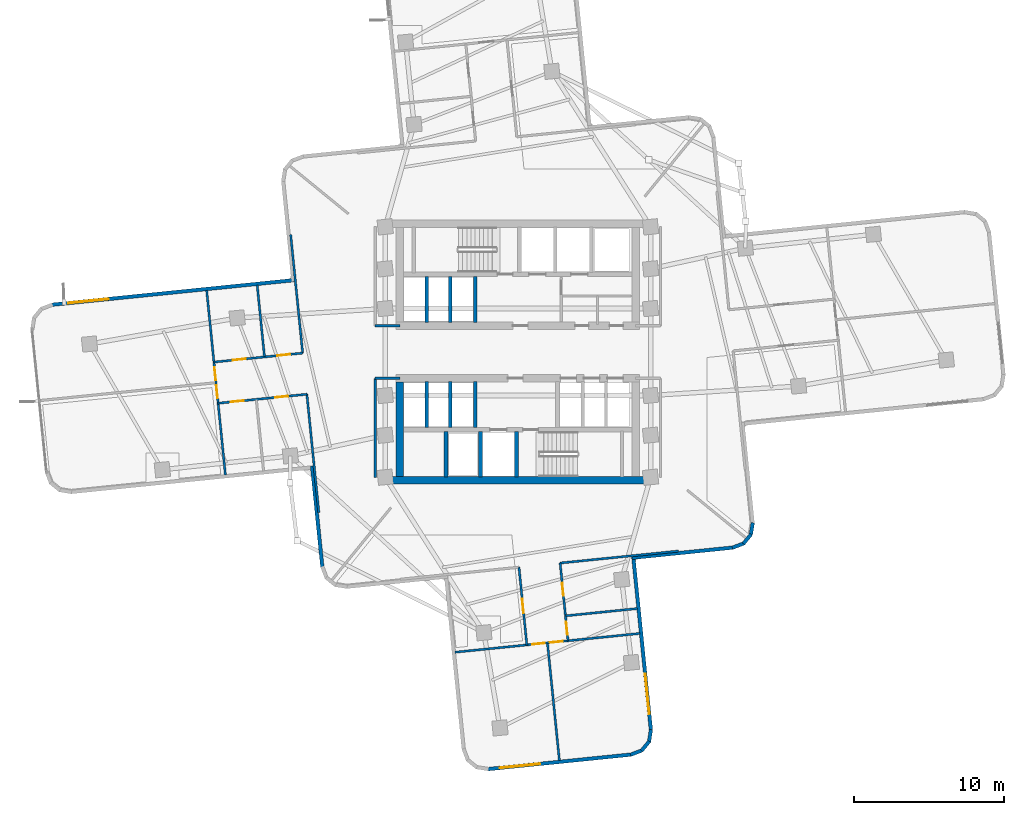
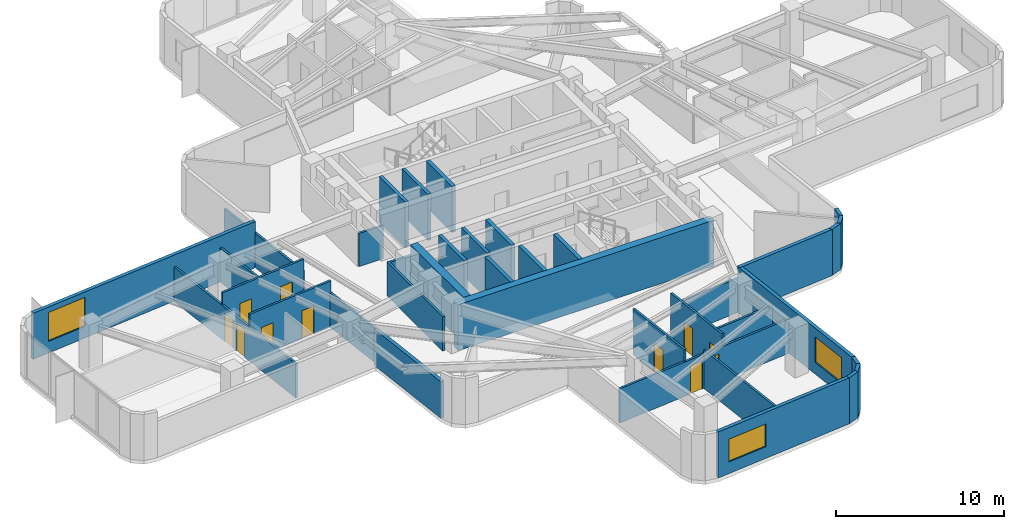
# One storey, part 6 of 12: 37 walls, 11 doors, 3 windows, 14 openings.
"""IFC4 building model written with IfcOpenShell, lengths in metres."""

from ifc_helpers import new_model, si_unit, direction, frame, frame_2d, origin, place, context, subcontext, project, spatial, rectangle, extrude, material, layer, layer_set, type_object, element, fill, save


model = new_model("IFC4")

# Units and contexts
model_context = context("Model", 3, precision=1e-05, world=origin(), true_north=direction((0.0, 1.0)))
body_context = subcontext(model_context, "Body", "Model", "MODEL_VIEW")
ifc_project = project(units=[si_unit("LENGTHUNIT", "METRE"), si_unit("AREAUNIT", "SQUARE_METRE"), si_unit("VOLUMEUNIT", "CUBIC_METRE"), si_unit("PLANEANGLEUNIT", "RADIAN"), si_unit("MASSUNIT", "GRAM", prefix="KILO")], contexts=[model_context])

# Site, building, storey
site_placement = place(None, origin())
site = spatial("IfcSite", under=ifc_project, at=site_placement, CompositionType="ELEMENT")
building_placement = place(site_placement, origin())
building = spatial("IfcBuilding", under=site, at=building_placement, Name="Solmarez Civic Tower", CompositionType="ELEMENT")
storey_placement = place(building_placement, frame((0.0, 0.0, 74.8798828125)))
storey = spatial("IfcBuildingStorey", under=building, at=storey_placement, Name="L19", CompositionType="ELEMENT", Elevation=74.8798828125)

# Walls
ifc_material_1 = material(Name="Concrete C60/75", Category="concrete")
ifc_layer_1 = layer(ifc_material_1, 0.5)
ifc_layer_set_1 = layer_set([ifc_layer_1], Name="Concrete C60/75")
wall_type_1 = type_object("IfcWallType", Name="WALL-CORE-500", PredefinedType="SHEAR", material=ifc_layer_set_1)
wall_1_placement = place(storey_placement, frame((8.780029296875, -8.56005859375, 0.0), z_axis=(0.0, 0.0, 1.0), x_axis=(-1.0, 0.0, 0.0)))
element("IfcWall", 1, at=wall_1_placement, inside=storey, type_object=wall_type_1, Name="L19 Split-Core Structural Wall SCW-S-L19", PredefinedType="SHEAR", context=body_context, shape_type="SweptSolid", body=[
    extrude(rectangle(XDim=17.56005859375, YDim=0.5, at=frame_2d((8.780029296875, 0.0))), origin(), (0.0, 0.0, 1.0), 3.340087890625),
])
wall_2_placement = place(storey_placement, frame((-7.8701171875, -8.31005859375, 0.0), z_axis=(0.0, 0.0, 1.0), x_axis=(0.0, 1.0, 0.0)))
element("IfcWall", 2, at=wall_2_placement, inside=storey, type_object=wall_type_1, Name="L19 Split-Core Structural Wall SCW-W-L19", PredefinedType="SHEAR", context=body_context, shape_type="SweptSolid", body=[
    extrude(rectangle(XDim=6.31005859375, YDim=0.5, at=frame_2d((3.155029296875, 0.0))), origin(), (0.0, 0.0, 1.0), 3.340087890625),
])

# Wall, opening, window
ifc_material_2 = material(Name="Precast concrete C40/50", Category="concrete")
ifc_layer_2 = layer(ifc_material_2, 0.239990234375)
ifc_layer_set_2 = layer_set([ifc_layer_2], Name="Precast concrete C40/50")
wall_type_2 = type_object("IfcWallType", Name="WALL-EXT-240", PredefinedType="SOLIDWALL", material=ifc_layer_set_2)
wall_3_placement = place(storey_placement, frame((-31.0869140625, 3.154052734375, 0.0), z_axis=(0.0, 0.0, 1.0), x_axis=(0.994872777564, 0.101134348577, 0.0)))
wall_3 = element("IfcWall", 3, at=wall_3_placement, inside=storey, type_object=wall_type_2, Name="L19 Exterior Precast Wall 10", PredefinedType="SOLIDWALL", context=body_context, shape_type="SweptSolid", body=[
    extrude(rectangle(XDim=16.275390625, YDim=0.239990234375, at=frame_2d((8.1376953125, 0.0))), origin(), (0.0, 0.0, 1.0), 3.340087890625),
])
opening_1_placement = place(wall_3_placement, frame((1.10009765625, 0.0, 0.85009765625)))
opening_1 = element("IfcOpeningElement", 4, at=opening_1_placement, cuts=wall_3, Name="Opening W-01", PredefinedType="OPENING", context=body_context, shape_type="SweptSolid", body=[
    extrude(rectangle(XDim=2.699951171875, YDim=2.10009765625, at=frame_2d((1.35009765625, 1.050048828125))), frame((0.0, 0.1298828125, 0.0), z_axis=(0.0, -1.0, 0.0), x_axis=(1.0, 0.0, 0.0)), (0.0, 0.0, 1.0), 0.260009765625),
])
ifc_material_3 = material(Name="Solar Control Bronze-Tinted Insulating Glass", Category="glass")
window_type_1 = type_object("IfcWindowType", Name="WIN-2700X2100", PartitioningType="SINGLE_PANEL", PredefinedType="WINDOW", material=ifc_material_3)
window_1_placement = place(opening_1_placement, origin())
window_1 = element("IfcWindow", 5, at=window_1_placement, inside=storey, type_object=window_type_1, Name="L19 Exterior Facade Window 10", OverallHeight=2.10009765625, OverallWidth=2.699951171875, PartitioningType="SINGLE_PANEL", PredefinedType="WINDOW", context=body_context, shape_type="SweptSolid", body=[
    extrude(rectangle(XDim=2.699951171875, YDim=2.10009765625, at=frame_2d((1.35009765625, 1.050048828125))), frame((0.0, 0.030029296875, 0.0), z_axis=(0.0, -1.0, 0.0), x_axis=(1.0, 0.0, 0.0)), (0.0, 0.0, 1.0), 0.06005859375),
])
fill(opening_1, window_1)

# Walls
wall_4_placement = place(storey_placement, frame((15.6669921875, -11.385009765625, 0.0), z_axis=(0.0, 0.0, 1.0), x_axis=(-0.160156284613, -0.987091669755, 0.0)))
element("IfcWall", 6, at=wall_4_placement, inside=storey, type_object=wall_type_2, Name="L19 Exterior Precast Wall 50", PredefinedType="SOLIDWALL", context=body_context, shape_type="SweptSolid", body=[
    extrude(rectangle(XDim=0.830810546875, YDim=0.239990234375, at=frame_2d((0.41552734375, 0.0))), origin(), (0.0, 0.0, 1.0), 3.340087890625),
])
wall_5_placement = place(storey_placement, frame((15.553955078125, -12.160888671875, 0.0), z_axis=(0.0, 0.0, 1.0), x_axis=(-0.632027096542, -0.774946287969, 0.0)))
element("IfcWall", 7, at=wall_5_placement, inside=storey, type_object=wall_type_2, Name="L19 Exterior Precast Wall 51", PredefinedType="SOLIDWALL", context=body_context, shape_type="SweptSolid", body=[
    extrude(rectangle(XDim=0.813232421875, YDim=0.239990234375, at=frame_2d((0.40673828125, 0.0))), origin(), (0.0, 0.0, 1.0), 3.340087890625),
])
wall_6_placement = place(storey_placement, frame((15.0791015625, -12.762939453125, 0.0), z_axis=(0.0, 0.0, 1.0), x_axis=(-0.934687869602, -0.355469529522, 0.0)))
element("IfcWall", 8, at=wall_6_placement, inside=storey, type_object=wall_type_2, Name="L19 Exterior Precast Wall 52", PredefinedType="SOLIDWALL", context=body_context, shape_type="SweptSolid", body=[
    extrude(rectangle(XDim=0.830322265625, YDim=0.239990234375, at=frame_2d((0.4150390625, 0.0))), origin(), (0.0, 0.0, 1.0), 3.340087890625),
])
wall_7_placement = place(storey_placement, frame((14.35107421875, -13.0458984375, 0.0), z_axis=(0.0, 0.0, 1.0), x_axis=(-0.994861212257, -0.101248053545, 0.0)))
element("IfcWall", 9, at=wall_7_placement, inside=storey, type_object=wall_type_2, Name="L19 Exterior Precast Wall 53", PredefinedType="SOLIDWALL", context=body_context, shape_type="SweptSolid", body=[
    extrude(rectangle(XDim=6.77587890625, YDim=0.239990234375, at=frame_2d((3.387939453125, 0.0))), origin(), (0.0, 0.0, 1.0), 3.340087890625),
])

# Wall, opening, window
wall_8_placement = place(storey_placement, frame((7.696044921875, -13.6259765625, 0.0), z_axis=(0.0, 0.0, 1.0), x_axis=(0.101141181304, -0.994872082956, 0.0)))
wall_8 = element("IfcWall", 10, at=wall_8_placement, inside=storey, type_object=wall_type_2, Name="L19 Exterior Precast Wall 56", PredefinedType="SOLIDWALL", context=body_context, shape_type="SweptSolid", body=[
    extrude(rectangle(XDim=11.67578125, YDim=0.239990234375, at=frame_2d((5.837890625, 0.0))), origin(), (0.0, 0.0, 1.0), 3.340087890625),
])
opening_2_placement = place(wall_8_placement, frame((7.8759765625, 0.0, 0.85009765625)))
opening_2 = element("IfcOpeningElement", 11, at=opening_2_placement, cuts=wall_8, Name="Opening W-05", PredefinedType="OPENING", context=body_context, shape_type="SweptSolid", body=[
    extrude(rectangle(XDim=2.699951171875, YDim=1.85009765625, at=frame_2d((1.35009765625, 0.925048828125))), frame((0.0, 0.1298828125, 0.0), z_axis=(0.0, -1.0, 0.0), x_axis=(1.0, 0.0, 0.0)), (0.0, 0.0, 1.0), 0.260009765625),
])
window_type_2 = type_object("IfcWindowType", Name="WIN-2700X1850", PartitioningType="SINGLE_PANEL", PredefinedType="WINDOW", material=ifc_material_3)
window_2_placement = place(opening_2_placement, origin())
window_2 = element("IfcWindow", 12, at=window_2_placement, inside=storey, type_object=window_type_2, Name="L19 Exterior Facade Window 56", OverallHeight=1.85009765625, OverallWidth=2.699951171875, PartitioningType="SINGLE_PANEL", PredefinedType="WINDOW", context=body_context, shape_type="SweptSolid", body=[
    extrude(rectangle(XDim=2.699951171875, YDim=1.85009765625, at=frame_2d((1.35009765625, 0.925048828125))), frame((0.0, 0.030029296875, 0.0), z_axis=(0.0, -1.0, 0.0), x_axis=(1.0, 0.0, 0.0)), (0.0, 0.0, 1.0), 0.06005859375),
])
fill(opening_2, window_2)

# Walls
wall_9_placement = place(storey_placement, frame((8.8779296875, -25.19189453125, 0.0), z_axis=(0.0, 0.0, 1.0), x_axis=(-0.159869937309, -0.987138087172, 0.0)))
element("IfcWall", 13, at=wall_9_placement, inside=storey, type_object=wall_type_2, Name="L19 Exterior Precast Wall 57", PredefinedType="SOLIDWALL", context=body_context, shape_type="SweptSolid", body=[
    extrude(rectangle(XDim=0.830810546875, YDim=0.239990234375, at=frame_2d((0.41552734375, 0.0))), origin(), (0.0, 0.0, 1.0), 3.340087890625),
])
wall_10_placement = place(storey_placement, frame((8.764892578125, -25.968017578125, 0.0), z_axis=(0.0, 0.0, 1.0), x_axis=(-0.632894553208, -0.774238002503, 0.0)))
element("IfcWall", 14, at=wall_10_placement, inside=storey, type_object=wall_type_2, Name="L19 Exterior Precast Wall 58", PredefinedType="SOLIDWALL", context=body_context, shape_type="SweptSolid", body=[
    extrude(rectangle(XDim=0.8134765625, YDim=0.239990234375, at=frame_2d((0.40673828125, 0.0))), origin(), (0.0, 0.0, 1.0), 3.340087890625),
])
wall_11_placement = place(storey_placement, frame((8.2890625, -26.570068359375, 0.0), z_axis=(0.0, 0.0, 1.0), x_axis=(-0.934636879952, -0.355603575113, 0.0)))
element("IfcWall", 15, at=wall_11_placement, inside=storey, type_object=wall_type_2, Name="L19 Exterior Precast Wall 59", PredefinedType="SOLIDWALL", context=body_context, shape_type="SweptSolid", body=[
    extrude(rectangle(XDim=0.829345703125, YDim=0.239990234375, at=frame_2d((0.41455078125, 0.0))), origin(), (0.0, 0.0, 1.0), 3.340087890625),
])

# Wall, opening, window
wall_12_placement = place(storey_placement, frame((7.56201171875, -26.85302734375, 0.0), z_axis=(0.0, 0.0, 1.0), x_axis=(-0.994872257291, -0.101139466448, 0.0)))
wall_12 = element("IfcWall", 16, at=wall_12_placement, inside=storey, type_object=wall_type_2, Name="L19 Exterior Precast Wall 60", PredefinedType="SOLIDWALL", context=body_context, shape_type="SweptSolid", body=[
    extrude(rectangle(XDim=9.619384765625, YDim=0.239990234375, at=frame_2d((4.8095703125, 0.0))), origin(), (0.0, 0.0, 1.0), 3.340087890625),
])
opening_3_placement = place(wall_12_placement, frame((6.118896484375, 0.0, 0.85009765625)))
opening_3 = element("IfcOpeningElement", 17, at=opening_3_placement, cuts=wall_12, Name="Opening W-09", PredefinedType="OPENING", context=body_context, shape_type="SweptSolid", body=[
    extrude(rectangle(XDim=2.699951171875, YDim=1.64990234375, at=frame_2d((1.35009765625, 0.824951171875))), frame((0.0, 0.1298828125, 0.0), z_axis=(0.0, -1.0, 0.0), x_axis=(1.0, 0.0, 0.0)), (0.0, 0.0, 1.0), 0.260009765625),
])
window_type_3 = type_object("IfcWindowType", Name="WIN-2700X1650", PartitioningType="SINGLE_PANEL", PredefinedType="WINDOW", material=ifc_material_3)
window_3_placement = place(opening_3_placement, origin())
window_3 = element("IfcWindow", 18, at=window_3_placement, inside=storey, type_object=window_type_3, Name="L19 Exterior Facade Window 60", OverallHeight=1.64990234375, OverallWidth=2.699951171875, PartitioningType="SINGLE_PANEL", PredefinedType="WINDOW", context=body_context, shape_type="SweptSolid", body=[
    extrude(rectangle(XDim=2.699951171875, YDim=1.64990234375, at=frame_2d((1.35009765625, 0.824951171875))), frame((0.0, 0.030029296875, 0.0), z_axis=(0.0, -1.0, 0.0), x_axis=(1.0, 0.0, 0.0)), (0.0, 0.0, 1.0), 0.06005859375),
])
fill(opening_3, window_3)

# Walls
wall_13_placement = place(storey_placement, frame((-13.0458984375, -14.35107421875, 0.0), z_axis=(0.0, 0.0, 1.0), x_axis=(-0.101248053545, 0.994861212257, 0.0)))
element("IfcWall", 19, at=wall_13_placement, inside=storey, type_object=wall_type_2, Name="L19 Exterior Precast Wall 71", PredefinedType="SOLIDWALL", context=body_context, shape_type="SweptSolid", body=[
    extrude(rectangle(XDim=6.77587890625, YDim=0.239990234375, at=frame_2d((3.387939453125, 0.0))), origin(), (0.0, 0.0, 1.0), 2.64404296875),
])
ifc_material_4 = material(Name="Gypsum Board Acoustic Steel-Stud Partition", Category="steel")
ifc_layer_3 = layer(ifc_material_4, 0.14990234375)
ifc_layer_set_3 = layer_set([ifc_layer_3], Name="Gypsum Board Acoustic Steel-Stud Partition")
wall_type_3 = type_object("IfcWallType", Name="WALL-INT-FIRE-150", PredefinedType="PARTITIONING", material=ifc_layer_set_3)
wall_14_placement = place(storey_placement, frame((-7.85009765625, 1.75, 0.0), z_axis=(0.0, 0.0, 1.0), x_axis=(-1.0, 0.0, 0.0)))
element("IfcWall", 20, at=wall_14_placement, inside=storey, type_object=wall_type_3, Name="L19 Interior Partition CHW-L19-WN3", PredefinedType="PARTITIONING", context=body_context, shape_type="SweptSolid", body=[
    extrude(rectangle(XDim=1.669921875, YDim=0.14990234375, at=frame_2d((0.8349609375, 0.0))), origin(), (0.0, 0.0, 1.0), 2.405029296875),
])
wall_15_placement = place(storey_placement, frame((-9.52001953125, -8.3798828125, 0.0), z_axis=(0.0, 0.0, 1.0), x_axis=(0.0, 1.0, 0.0)))
element("IfcWall", 21, at=wall_15_placement, inside=storey, type_object=wall_type_3, Name="L19 Interior Partition CHW-L19-WS1", PredefinedType="PARTITIONING", context=body_context, shape_type="SweptSolid", body=[
    extrude(rectangle(XDim=6.6298828125, YDim=0.14990234375, at=frame_2d((3.31494140625, 0.0))), origin(), (0.0, 0.0, 1.0), 2.486083984375),
])
wall_16_placement = place(storey_placement, frame((-7.85009765625, -1.75, 0.0), z_axis=(0.0, 0.0, 1.0), x_axis=(-1.0, 0.0, 0.0)))
element("IfcWall", 22, at=wall_16_placement, inside=storey, type_object=wall_type_3, Name="L19 Interior Partition CHW-L19-WS3", PredefinedType="PARTITIONING", context=body_context, shape_type="SweptSolid", body=[
    extrude(rectangle(XDim=1.669921875, YDim=0.14990234375, at=frame_2d((0.8349609375, 0.0))), origin(), (0.0, 0.0, 1.0), 2.405029296875),
])
ifc_layer_4 = layer(ifc_material_4, 0.14501953125)
ifc_layer_set_4 = layer_set([ifc_layer_4], Name="Gypsum Board Acoustic Steel-Stud Partition")
wall_type_4 = type_object("IfcWallType", Name="WALL-INT-PART-150", PredefinedType="PARTITIONING", material=ifc_layer_set_4)
for number, where, z_axis, x_axis, name in (
    (23, (-14.077880859375, -2.806884765625, 0.0), (0.0, 0.0, 1.0), (0.100884076592, -0.994898187299, 0.0), "L19 Interior Partition PT-L19-W-EFL"),
    (24, (-15.158935546875, 7.827880859375, 0.0), (0.0, 0.0, 1.0), (0.101130341041, -0.994873184944, 0.0), "L19 Interior Partition PT-L19-W-EFR"),
):
    element("IfcWall", number, at=place(storey_placement, frame(where, z_axis=z_axis, x_axis=x_axis)), inside=storey, type_object=wall_type_4, Name=name, PredefinedType="PARTITIONING", context=body_context, shape_type="SweptSolid", body=[
        extrude(rectangle(XDim=7.94970703125, YDim=0.14501953125, at=frame_2d((3.974853515625, 0.0))), origin(), (0.0, 0.0, 1.0), 2.486083984375),
    ])
wall_17_placement = place(storey_placement, frame((-17.389892578125, 4.4599609375, 0.0), z_axis=(0.0, 0.0, 1.0), x_axis=(0.101126974355, -0.994873527167, 0.0)))
element("IfcWall", 25, at=wall_17_placement, inside=storey, type_object=wall_type_4, Name="L19 Interior Partition PT-L19-W-RM", PredefinedType="PARTITIONING", context=body_context, shape_type="SweptSolid", body=[
    extrude(rectangle(XDim=4.794677734375, YDim=0.14501953125, at=frame_2d((2.3974609375, 0.0))), origin(), (0.0, 0.0, 1.0), 2.486083984375),
])

# Wall, openings, doors
wall_18_placement = place(storey_placement, frame((-19.9970703125, -3.41796875, 0.0), z_axis=(0.0, 0.0, 1.0), x_axis=(0.994885342511, 0.101010669028, 0.0)))
wall_18 = element("IfcWall", 26, at=wall_18_placement, inside=storey, type_object=wall_type_4, Name="L19 Interior Partition PT-L19-W-SL", PredefinedType="PARTITIONING", context=body_context, shape_type="SweptSolid", body=[
    extrude(rectangle(XDim=5.95068359375, YDim=0.14501953125, at=frame_2d((2.975341796875, 0.0))), origin(), (0.0, 0.0, 1.0), 3.340087890625),
])
opening_4_placement = place(wall_18_placement, frame((3.824951171875, 0.0, 0.0)))
opening_4 = element("IfcOpeningElement", 27, at=opening_4_placement, cuts=wall_18, Name="Opening D-14", PredefinedType="OPENING", context=body_context, shape_type="SweptSolid", body=[
    extrude(rectangle(XDim=0.860107421875, YDim=2.0400390625, at=frame_2d((0.43017578125, 1.02001953125))), frame((0.0, 0.08251953125, 0.0), z_axis=(0.0, -1.0, 0.0), x_axis=(1.0, 0.0, 0.0)), (0.0, 0.0, 1.0), 0.1650390625),
])
opening_5_placement = place(wall_18_placement, frame((0.85009765625, 0.0, 0.0)))
opening_5 = element("IfcOpeningElement", 28, at=opening_5_placement, cuts=wall_18, Name="Opening D-14", PredefinedType="OPENING", context=body_context, shape_type="SweptSolid", body=[
    extrude(rectangle(XDim=0.860107421875, YDim=2.0400390625, at=frame_2d((0.43017578125, 1.02001953125))), frame((0.0, 0.08251953125, 0.0), z_axis=(0.0, -1.0, 0.0), x_axis=(1.0, 0.0, 0.0)), (0.0, 0.0, 1.0), 0.1650390625),
])
ifc_material_5 = material(Name="Timber Storage and Pantry Door", Category="wood")
door_type_1 = type_object("IfcDoorType", Name="DOOR-INT-850", OperationType="NOTDEFINED", PredefinedType="DOOR", material=ifc_material_5)
door_1_placement = place(opening_4_placement, origin())
door_1 = element("IfcDoor", 29, at=door_1_placement, inside=storey, type_object=door_type_1, Name="L19 Municipal Mailroom First West Door", OperationType="SINGLE_SWING_LEFT", OverallHeight=2.0400390625, OverallWidth=0.860107421875, PredefinedType="DOOR", context=body_context, shape_type="SweptSolid", body=[
    extrude(rectangle(XDim=0.860107421875, YDim=2.0400390625, at=frame_2d((0.43017578125, 1.02001953125))), frame((0.0, 0.02490234375, 0.0), z_axis=(0.0, -1.0, 0.0), x_axis=(1.0, 0.0, 0.0)), (0.0, 0.0, 1.0), 0.050048828125),
])
fill(opening_4, door_1)
door_2_placement = place(opening_5_placement, origin())
door_2 = element("IfcDoor", 30, at=door_2_placement, inside=storey, type_object=door_type_1, Name="L19 Staff Tea Pantry Second West Door", OperationType="SINGLE_SWING_RIGHT", OverallHeight=2.0400390625, OverallWidth=0.860107421875, PredefinedType="DOOR", context=body_context, shape_type="SweptSolid", body=[
    extrude(rectangle(XDim=0.860107421875, YDim=2.0400390625, at=frame_2d((0.43017578125, 1.02001953125))), frame((0.0, 0.02490234375, 0.0), z_axis=(0.0, -1.0, 0.0), x_axis=(1.0, 0.0, 0.0)), (0.0, 0.0, 1.0), 0.050048828125),
])
fill(opening_5, door_2)

wall_19_placement = place(storey_placement, frame((-14.35595703125, -0.071044921875, 0.0), z_axis=(0.0, 0.0, 1.0), x_axis=(-0.994884923871, -0.101014792254, 0.0)))
wall_19 = element("IfcWall", 31, at=wall_19_placement, inside=storey, type_object=wall_type_4, Name="L19 Interior Partition PT-L19-W-SR", PredefinedType="PARTITIONING", context=body_context, shape_type="SweptSolid", body=[
    extrude(rectangle(XDim=5.950439453125, YDim=0.14501953125, at=frame_2d((2.97509765625, 0.0))), origin(), (0.0, 0.0, 1.0), 3.340087890625),
])
opening_6_placement = place(wall_19_placement, frame((0.85009765625, 0.0, 0.0)))
opening_6 = element("IfcOpeningElement", 32, at=opening_6_placement, cuts=wall_19, Name="Opening D-14", PredefinedType="OPENING", context=body_context, shape_type="SweptSolid", body=[
    extrude(rectangle(XDim=0.860107421875, YDim=2.0400390625, at=frame_2d((0.43017578125, 1.02001953125))), frame((0.0, 0.08251953125, 0.0), z_axis=(0.0, -1.0, 0.0), x_axis=(1.0, 0.0, 0.0)), (0.0, 0.0, 1.0), 0.1650390625),
])
opening_7_placement = place(wall_19_placement, frame((3.824951171875, 0.0, 0.0)))
opening_7 = element("IfcOpeningElement", 33, at=opening_7_placement, cuts=wall_19, Name="Opening D-14", PredefinedType="OPENING", context=body_context, shape_type="SweptSolid", body=[
    extrude(rectangle(XDim=0.860107421875, YDim=2.0400390625, at=frame_2d((0.43017578125, 1.02001953125))), frame((0.0, 0.08251953125, 0.0), z_axis=(0.0, -1.0, 0.0), x_axis=(1.0, 0.0, 0.0)), (0.0, 0.0, 1.0), 0.1650390625),
])
door_3_placement = place(opening_6_placement, origin())
door_3 = element("IfcDoor", 34, at=door_3_placement, inside=storey, type_object=door_type_1, Name="L19 Co-Working Policy Workspace Third West Door", OperationType="SINGLE_SWING_RIGHT", OverallHeight=2.0400390625, OverallWidth=0.860107421875, PredefinedType="DOOR", context=body_context, shape_type="SweptSolid", body=[
    extrude(rectangle(XDim=0.860107421875, YDim=2.0400390625, at=frame_2d((0.43017578125, 1.02001953125))), frame((0.0, 0.02490234375, 0.0), z_axis=(0.0, -1.0, 0.0), x_axis=(1.0, 0.0, 0.0)), (0.0, 0.0, 1.0), 0.050048828125),
])
fill(opening_6, door_3)
door_4_placement = place(opening_7_placement, origin())
door_4 = element("IfcDoor", 35, at=door_4_placement, inside=storey, type_object=door_type_1, Name="L19 Breakout Huddle Room Fourth West Door", OperationType="SINGLE_SWING_LEFT", OverallHeight=2.0400390625, OverallWidth=0.860107421875, PredefinedType="DOOR", context=body_context, shape_type="SweptSolid", body=[
    extrude(rectangle(XDim=0.860107421875, YDim=2.0400390625, at=frame_2d((0.43017578125, 1.02001953125))), frame((0.0, 0.02490234375, 0.0), z_axis=(0.0, -1.0, 0.0), x_axis=(1.0, 0.0, 0.0)), (0.0, 0.0, 1.0), 0.050048828125),
])
fill(opening_7, door_4)

wall_20_placement = place(storey_placement, frame((-19.510009765625, -8.208984375, 0.0), z_axis=(0.0, 0.0, 1.0), x_axis=(-0.101042864496, 0.99488207318, 0.0)))
wall_20 = element("IfcWall", 36, at=wall_20_placement, inside=storey, type_object=wall_type_4, Name="L19 Interior Partition PT-L19-W-END", PredefinedType="PARTITIONING", context=body_context, shape_type="SweptSolid", body=[
    extrude(rectangle(XDim=12.390380859375, YDim=0.14501953125, at=frame_2d((6.1953125, 0.0))), origin(), (0.0, 0.0, 1.0), 2.486083984375),
])
opening_8_placement = place(wall_20_placement, frame((6.364990234375, 0.0, 0.0)))
opening_8 = element("IfcOpeningElement", 37, at=opening_8_placement, cuts=wall_20, Name="Opening D-14", PredefinedType="OPENING", context=body_context, shape_type="SweptSolid", body=[
    extrude(rectangle(XDim=0.860107421875, YDim=2.0400390625, at=frame_2d((0.43017578125, 1.02001953125))), frame((0.0, 0.08251953125, 0.0), z_axis=(0.0, -1.0, 0.0), x_axis=(1.0, 0.0, 0.0)), (0.0, 0.0, 1.0), 0.1650390625),
])
opening_9_placement = place(wall_20_placement, frame((5.1650390625, 0.0, 0.0)))
opening_9 = element("IfcOpeningElement", 38, at=opening_9_placement, cuts=wall_20, Name="Opening D-14", PredefinedType="OPENING", context=body_context, shape_type="SweptSolid", body=[
    extrude(rectangle(XDim=0.860107421875, YDim=2.0400390625, at=frame_2d((0.43017578125, 1.02001953125))), frame((0.0, 0.08251953125, 0.0), z_axis=(0.0, -1.0, 0.0), x_axis=(1.0, 0.0, 0.0)), (0.0, 0.0, 1.0), 0.1650390625),
])
door_5_placement = place(opening_8_placement, origin())
door_5 = element("IfcDoor", 39, at=door_5_placement, inside=storey, type_object=door_type_1, Name="L19 Breakout Huddle Room Sixth West Door", OperationType="SINGLE_SWING_RIGHT", OverallHeight=2.0400390625, OverallWidth=0.860107421875, PredefinedType="DOOR", context=body_context, shape_type="SweptSolid", body=[
    extrude(rectangle(XDim=0.860107421875, YDim=2.0400390625, at=frame_2d((0.43017578125, 1.02001953125))), frame((0.0, 0.02490234375, 0.0), z_axis=(0.0, -1.0, 0.0), x_axis=(1.0, 0.0, 0.0)), (0.0, 0.0, 1.0), 0.050048828125),
])
fill(opening_8, door_5)
door_6_placement = place(opening_9_placement, origin())
door_6 = element("IfcDoor", 40, at=door_6_placement, inside=storey, type_object=door_type_1, Name="L19 Co-Working Policy Workspace Fifth West Door", OperationType="SINGLE_SWING_LEFT", OverallHeight=2.0400390625, OverallWidth=0.860107421875, PredefinedType="DOOR", context=body_context, shape_type="SweptSolid", body=[
    extrude(rectangle(XDim=0.860107421875, YDim=2.0400390625, at=frame_2d((0.43017578125, 1.02001953125))), frame((0.0, 0.02490234375, 0.0), z_axis=(0.0, -1.0, 0.0), x_axis=(1.0, 0.0, 0.0)), (0.0, 0.0, 1.0), 0.050048828125),
])
fill(opening_9, door_6)

# Walls
wall_21_placement = place(storey_placement, frame((2.806884765625, -14.077880859375, 0.0), z_axis=(0.0, 0.0, 1.0), x_axis=(0.994898187299, 0.100884076592, 0.0)))
element("IfcWall", 41, at=wall_21_placement, inside=storey, type_object=wall_type_4, Name="L19 Interior Partition PT-L19-S-EFL", PredefinedType="PARTITIONING", context=body_context, shape_type="SweptSolid", body=[
    extrude(rectangle(XDim=7.94970703125, YDim=0.14501953125, at=frame_2d((3.974853515625, 0.0))), origin(), (0.0, 0.0, 1.0), 2.486083984375),
])
wall_22_placement = place(storey_placement, frame((3.195068359375, -17.596923828125, 0.0), z_axis=(0.0, 0.0, 1.0), x_axis=(0.994893999082, 0.100925371388, 0.0)))
element("IfcWall", 42, at=wall_22_placement, inside=storey, type_object=wall_type_4, Name="L19 Interior Partition PT-L19-S-LM", PredefinedType="PARTITIONING", context=body_context, shape_type="SweptSolid", body=[
    extrude(rectangle(XDim=4.79443359375, YDim=0.14501953125, at=frame_2d((2.397216796875, 0.0))), origin(), (0.0, 0.0, 1.0), 2.486083984375),
])

# Wall, openings, doors
wall_23_placement = place(storey_placement, frame((3.343994140625, -19.260986328125, 0.0), z_axis=(0.0, 0.0, 1.0), x_axis=(-0.101155024417, 0.994870675533, 0.0)))
wall_23 = element("IfcWall", 43, at=wall_23_placement, inside=storey, type_object=wall_type_4, Name="L19 Interior Partition PT-L19-S-SL", PredefinedType="PARTITIONING", context=body_context, shape_type="SweptSolid", body=[
    extrude(rectangle(XDim=5.210693359375, YDim=0.14501953125, at=frame_2d((2.60546875, 0.0))), origin(), (0.0, 0.0, 1.0), 3.340087890625),
])
opening_10_placement = place(wall_23_placement, frame((3.010986328125, 0.0, 0.0)))
opening_10 = element("IfcOpeningElement", 44, at=opening_10_placement, cuts=wall_23, Name="Opening D-14", PredefinedType="OPENING", context=body_context, shape_type="SweptSolid", body=[
    extrude(rectangle(XDim=0.860107421875, YDim=2.0400390625, at=frame_2d((0.43017578125, 1.02001953125))), frame((0.0, 0.08251953125, 0.0), z_axis=(0.0, -1.0, 0.0), x_axis=(1.0, 0.0, 0.0)), (0.0, 0.0, 1.0), 0.1650390625),
])
opening_11_placement = place(wall_23_placement, frame((0.406005859375, 0.0, 0.0)))
opening_11 = element("IfcOpeningElement", 45, at=opening_11_placement, cuts=wall_23, Name="Opening D-14", PredefinedType="OPENING", context=body_context, shape_type="SweptSolid", body=[
    extrude(rectangle(XDim=0.860107421875, YDim=2.0400390625, at=frame_2d((0.43017578125, 1.02001953125))), frame((0.0, 0.08251953125, 0.0), z_axis=(0.0, -1.0, 0.0), x_axis=(1.0, 0.0, 0.0)), (0.0, 0.0, 1.0), 0.1650390625),
])
door_7_placement = place(opening_10_placement, origin())
door_7 = element("IfcDoor", 46, at=door_7_placement, inside=storey, type_object=door_type_1, Name="L19 Staff Tea Pantry First South Door", OperationType="SINGLE_SWING_LEFT", OverallHeight=2.0400390625, OverallWidth=0.860107421875, PredefinedType="DOOR", context=body_context, shape_type="SweptSolid", body=[
    extrude(rectangle(XDim=0.860107421875, YDim=2.0400390625, at=frame_2d((0.43017578125, 1.02001953125))), frame((0.0, 0.02490234375, 0.0), z_axis=(0.0, -1.0, 0.0), x_axis=(1.0, 0.0, 0.0)), (0.0, 0.0, 1.0), 0.050048828125),
])
fill(opening_10, door_7)
door_8_placement = place(opening_11_placement, origin())
door_8 = element("IfcDoor", 47, at=door_8_placement, inside=storey, type_object=door_type_1, Name="L19 Co-Working Policy Workspace Second South Door", OperationType="SINGLE_SWING_RIGHT", OverallHeight=2.0400390625, OverallWidth=0.860107421875, PredefinedType="DOOR", context=body_context, shape_type="SweptSolid", body=[
    extrude(rectangle(XDim=0.860107421875, YDim=2.0400390625, at=frame_2d((0.43017578125, 1.02001953125))), frame((0.0, 0.02490234375, 0.0), z_axis=(0.0, -1.0, 0.0), x_axis=(1.0, 0.0, 0.0)), (0.0, 0.0, 1.0), 0.050048828125),
])
fill(opening_11, door_8)

# Wall, opening, door
wall_24_placement = place(storey_placement, frame((0.071044921875, -14.35595703125, 0.0), z_axis=(0.0, 0.0, 1.0), x_axis=(0.10110865078, -0.994875389553, 0.0)))
wall_24 = element("IfcWall", 48, at=wall_24_placement, inside=storey, type_object=wall_type_4, Name="L19 Interior Partition PT-L19-S-SR", PredefinedType="PARTITIONING", context=body_context, shape_type="SweptSolid", body=[
    extrude(rectangle(XDim=5.210693359375, YDim=0.14501953125, at=frame_2d((2.60546875, 0.0))), origin(), (0.0, 0.0, 1.0), 3.340087890625),
])
opening_12_placement = place(wall_24_placement, frame((2.125, 0.0, 0.0)))
opening_12 = element("IfcOpeningElement", 49, at=opening_12_placement, cuts=wall_24, Name="Opening D-10", PredefinedType="OPENING", context=body_context, shape_type="SweptSolid", body=[
    extrude(rectangle(XDim=0.949951171875, YDim=2.080078125, at=frame_2d((0.47509765625, 1.0400390625))), frame((0.0, 0.08251953125, 0.0), z_axis=(0.0, -1.0, 0.0), x_axis=(1.0, 0.0, 0.0)), (0.0, 0.0, 1.0), 0.1650390625),
])
ifc_material_6 = material(Name="Solid-Core Timber Ministry Office Door", Category="wood")
door_type_2 = type_object("IfcDoorType", Name="DOOR-INT-950", OperationType="NOTDEFINED", PredefinedType="DOOR", material=ifc_material_6)
door_9_placement = place(opening_12_placement, origin())
door_9 = element("IfcDoor", 50, at=door_9_placement, inside=storey, type_object=door_type_2, Name="L19 Breakout Huddle Room Third South Door", OperationType="SINGLE_SWING_RIGHT", OverallHeight=2.080078125, OverallWidth=0.949951171875, PredefinedType="DOOR", context=body_context, shape_type="SweptSolid", body=[
    extrude(rectangle(XDim=0.949951171875, YDim=2.080078125, at=frame_2d((0.47509765625, 1.0400390625))), frame((0.0, 0.02490234375, 0.0), z_axis=(0.0, -1.0, 0.0), x_axis=(1.0, 0.0, 0.0)), (0.0, 0.0, 1.0), 0.050048828125),
])
fill(opening_12, door_9)

# Wall
wall_25_placement = place(storey_placement, frame((1.97705078125, -19.4599609375, 0.0), z_axis=(0.0, 0.0, 1.0), x_axis=(0.101083192058, -0.99487797658, 0.0)))
element("IfcWall", 51, at=wall_25_placement, inside=storey, type_object=wall_type_4, Name="L19 Interior Partition PT-L19-S-TM", PredefinedType="PARTITIONING", context=body_context, shape_type="SweptSolid", body=[
    extrude(rectangle(XDim=7.8349609375, YDim=0.14501953125, at=frame_2d((3.91748046875, 0.0))), origin(), (0.0, 0.0, 1.0), 2.793212890625),
])

# Wall, openings, doors
wall_26_placement = place(storey_placement, frame((8.134033203125, -18.77392578125, 0.0), z_axis=(0.0, 0.0, 1.0), x_axis=(-0.994882274346, -0.101040883761, 0.0)))
wall_26 = element("IfcWall", 52, at=wall_26_placement, inside=storey, type_object=wall_type_4, Name="L19 Interior Partition PT-L19-S-END", PredefinedType="PARTITIONING", context=body_context, shape_type="SweptSolid", body=[
    extrude(rectangle(XDim=12.390625, YDim=0.14501953125, at=frame_2d((6.1953125, 0.0))), origin(), (0.0, 0.0, 1.0), 2.486083984375),
])
opening_13_placement = place(wall_26_placement, frame((6.364990234375, 0.0, 0.0)))
opening_13 = element("IfcOpeningElement", 53, at=opening_13_placement, cuts=wall_26, Name="Opening D-14", PredefinedType="OPENING", context=body_context, shape_type="SweptSolid", body=[
    extrude(rectangle(XDim=0.860107421875, YDim=2.0400390625, at=frame_2d((0.43017578125, 1.02001953125))), frame((0.0, 0.08251953125, 0.0), z_axis=(0.0, -1.0, 0.0), x_axis=(1.0, 0.0, 0.0)), (0.0, 0.0, 1.0), 0.1650390625),
])
opening_14_placement = place(wall_26_placement, frame((5.1650390625, 0.0, 0.0)))
opening_14 = element("IfcOpeningElement", 54, at=opening_14_placement, cuts=wall_26, Name="Opening D-14", PredefinedType="OPENING", context=body_context, shape_type="SweptSolid", body=[
    extrude(rectangle(XDim=0.860107421875, YDim=2.0400390625, at=frame_2d((0.43017578125, 1.02001953125))), frame((0.0, 0.08251953125, 0.0), z_axis=(0.0, -1.0, 0.0), x_axis=(1.0, 0.0, 0.0)), (0.0, 0.0, 1.0), 0.1650390625),
])
door_10_placement = place(opening_13_placement, origin())
door_10 = element("IfcDoor", 55, at=door_10_placement, inside=storey, type_object=door_type_1, Name="L19 Municipal Mailroom Sixth South Door", OperationType="SINGLE_SWING_RIGHT", OverallHeight=2.0400390625, OverallWidth=0.860107421875, PredefinedType="DOOR", context=body_context, shape_type="SweptSolid", body=[
    extrude(rectangle(XDim=0.860107421875, YDim=2.0400390625, at=frame_2d((0.43017578125, 1.02001953125))), frame((0.0, 0.02490234375, 0.0), z_axis=(0.0, -1.0, 0.0), x_axis=(1.0, 0.0, 0.0)), (0.0, 0.0, 1.0), 0.050048828125),
])
fill(opening_13, door_10)
door_11_placement = place(opening_14_placement, origin())
door_11 = element("IfcDoor", 56, at=door_11_placement, inside=storey, type_object=door_type_1, Name="L19 Breakout Huddle Room Fifth South Door", OperationType="SINGLE_SWING_LEFT", OverallHeight=2.0400390625, OverallWidth=0.860107421875, PredefinedType="DOOR", context=body_context, shape_type="SweptSolid", body=[
    extrude(rectangle(XDim=0.860107421875, YDim=2.0400390625, at=frame_2d((0.43017578125, 1.02001953125))), frame((0.0, 0.02490234375, 0.0), z_axis=(0.0, -1.0, 0.0), x_axis=(1.0, 0.0, 0.0)), (0.0, 0.0, 1.0), 0.050048828125),
])
fill(opening_14, door_11)

# Walls
ifc_material_7 = material(Name="Concrete C50/60", Category="concrete")
ifc_layer_5 = layer(ifc_material_7, 0.300048828125)
ifc_layer_set_5 = layer_set([ifc_layer_5], Name="Concrete C50/60")
wall_type_5 = type_object("IfcWallType", Name="WALL-STR-300", PredefinedType="SOLIDWALL", material=ifc_layer_set_5)
wall_27_placement = place(storey_placement, frame((-2.85009765625, 1.97998046875, 0.0), z_axis=(0.0, 0.0, 1.0), x_axis=(0.0, 1.0, 0.0)))
element("IfcWall", 57, at=wall_27_placement, inside=storey, type_object=wall_type_5, Name="L19 Split-Core Structural Wall SHW-NL1-L19", PredefinedType="SOLIDWALL", context=body_context, shape_type="SweptSolid", body=[
    extrude(rectangle(XDim=3.070068359375, YDim=0.25, at=frame_2d((1.53515625, 0.0))), origin(), (0.0, 0.0, 1.0), 3.340087890625),
])
for number, where, z_axis, x_axis, name in (
    (58, (-0.10009765625, -8.340087890625, 0.0), (0.0, 0.0, 1.0), (0.0, 1.0, 0.0), "L19 Split-Core Structural Wall SHW-S1-L19"),
    (59, (-2.5, -8.340087890625, 0.0), (0.0, 0.0, 1.0), (0.0, 1.0, 0.0), "L19 Split-Core Structural Wall SHW-S2-L19"),
    (60, (-4.800048828125, -8.340087890625, 0.0), (0.0, 0.0, 1.0), (0.0, 1.0, 0.0), "L19 Split-Core Structural Wall SHW-S3-L19"),
):
    element("IfcWall", number, at=place(storey_placement, frame(where, z_axis=z_axis, x_axis=x_axis)), inside=storey, type_object=wall_type_5, Name=name, PredefinedType="SOLIDWALL", context=body_context, shape_type="SweptSolid", body=[
        extrude(rectangle(XDim=3.0400390625, YDim=0.25, at=frame_2d((1.52001953125, 0.0))), origin(), (0.0, 0.0, 1.0), 3.340087890625),
    ])
wall_28_placement = place(storey_placement, frame((-2.85009765625, -5.050048828125, 0.0), z_axis=(0.0, 0.0, 1.0), x_axis=(0.0, 1.0, 0.0)))
element("IfcWall", 61, at=wall_28_placement, inside=storey, type_object=wall_type_5, Name="L19 Split-Core Structural Wall SHW-SL1-L19", PredefinedType="SOLIDWALL", context=body_context, shape_type="SweptSolid", body=[
    extrude(rectangle(XDim=3.070068359375, YDim=0.25, at=frame_2d((1.53515625, 0.0))), origin(), (0.0, 0.0, 1.0), 3.340087890625),
])
for number, where, z_axis, x_axis, name in (
    (62, (-6.080078125, 1.97998046875, 0.0), (0.0, 0.0, 1.0), (0.0, 1.0, 0.0), "L19 Split-Core Structural Wall SHW-PLH-L19-1"),
    (63, (-4.52001953125, 1.97998046875, 0.0), (0.0, 0.0, 1.0), (0.0, 1.0, 0.0), "L19 Split-Core Structural Wall SHW-PLH-L19-2"),
    (64, (-6.080078125, -5.050048828125, 0.0), (0.0, 0.0, 1.0), (0.0, 1.0, 0.0), "L19 Split-Core Structural Wall SHW-PLM-L19-1"),
    (65, (-4.52001953125, -5.050048828125, 0.0), (0.0, 0.0, 1.0), (0.0, 1.0, 0.0), "L19 Split-Core Structural Wall SHW-PLM-L19-2"),
):
    element("IfcWall", number, at=place(storey_placement, frame(where, z_axis=z_axis, x_axis=x_axis)), inside=storey, type_object=wall_type_5, Name=name, PredefinedType="SOLIDWALL", context=body_context, shape_type="SweptSolid", body=[
        extrude(rectangle(XDim=3.070068359375, YDim=0.219970703125, at=frame_2d((1.53515625, 0.0))), origin(), (0.0, 0.0, 1.0), 3.340087890625),
    ])

save(model, "model.ifc")
